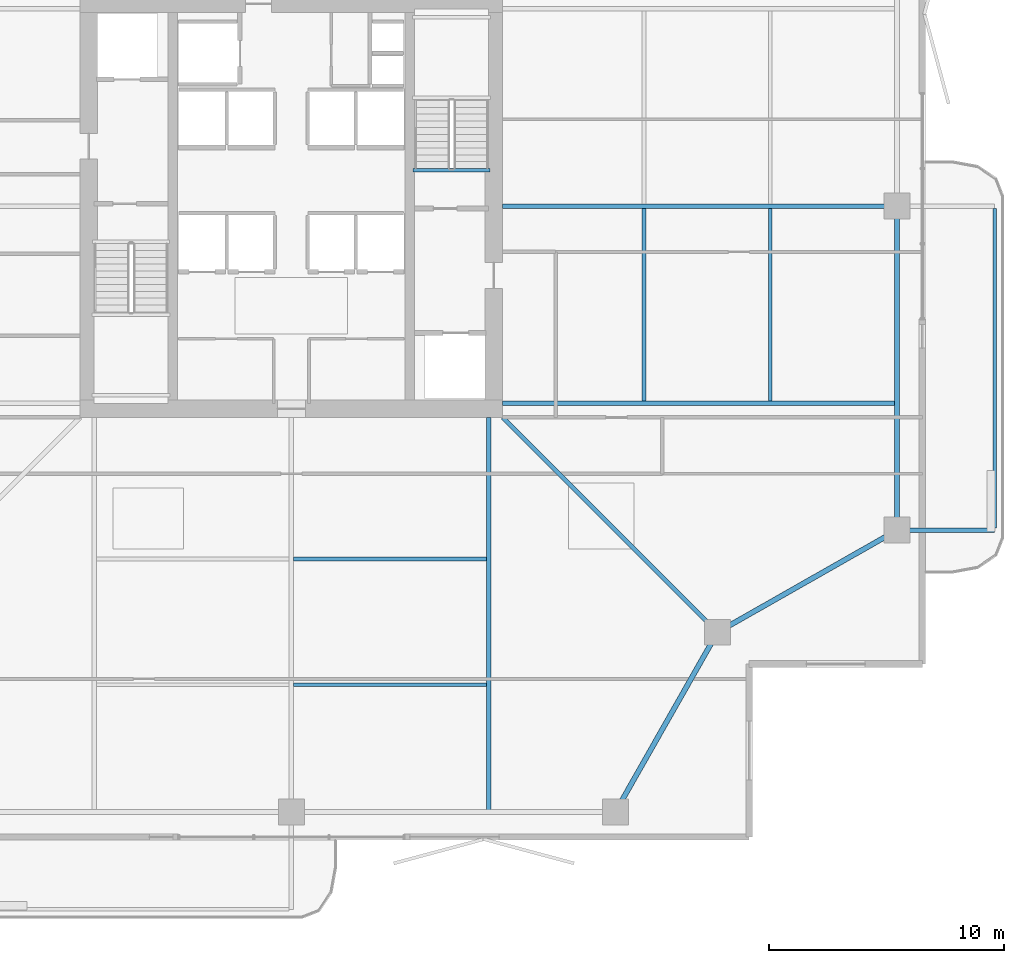
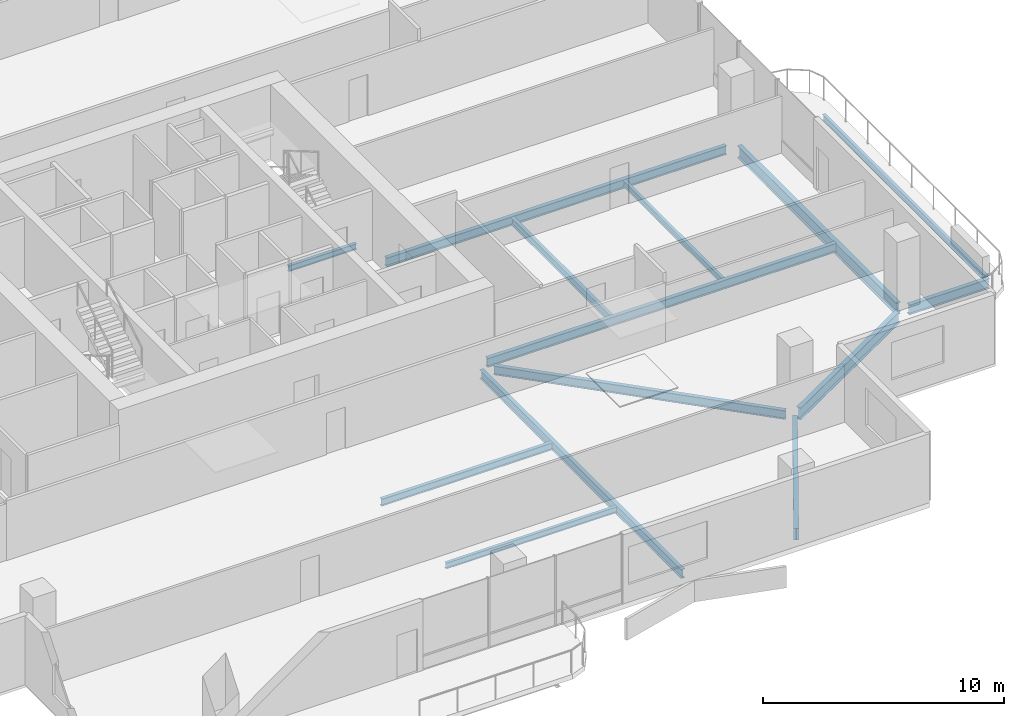
# One storey, part 7 of 24: 14 beams.
"""IFC4 building model written with IfcOpenShell, lengths in metres."""

from ifc_helpers import new_model, si_unit, direction, frame, origin, origin_2d, place, context, subcontext, project, spatial, i_section, extrude, material, material_profile, profile_set, type_object, element, save


model = new_model("IFC4")

# Units and contexts
model_context = context("Model", 3, precision=1e-05, world=origin(), true_north=direction((0.0, 1.0)))
body_context = subcontext(model_context, "Body", "Model", "MODEL_VIEW")
ifc_project = project(units=[si_unit("LENGTHUNIT", "METRE"), si_unit("AREAUNIT", "SQUARE_METRE"), si_unit("VOLUMEUNIT", "CUBIC_METRE"), si_unit("PLANEANGLEUNIT", "RADIAN"), si_unit("MASSUNIT", "GRAM", prefix="KILO")], contexts=[model_context])

# Site, building, storey
site_placement = place(None, origin())
site = spatial("IfcSite", under=ifc_project, at=site_placement, CompositionType="ELEMENT")
building_placement = place(site_placement, origin())
building = spatial("IfcBuilding", under=site, at=building_placement, Name="Belovzor Exchange Tower", CompositionType="ELEMENT")
storey_placement = place(building_placement, frame((0.0, 0.0, 207.449951171875)))
storey = spatial("IfcBuildingStorey", under=building, at=storey_placement, Name="L51", CompositionType="ELEMENT", Elevation=207.449951171875)

# Beams
ifc_material_1 = material(Name="Steel S355", Category="steel")
ifc_material_profile_1 = material_profile(ifc_material_1, i_section(OverallWidth=0.199951171875, OverallDepth=0.5, WebThickness=0.01025390625, FlangeThickness=0.01611328125, at=origin_2d()))
ifc_profile_set_1 = profile_set([ifc_material_profile_1], Name="Steel S355")
beam_type_1 = type_object("IfcBeamType", Name="Planted Balcony Cantilever Beam IPE 500", PredefinedType="BEAM", material=ifc_profile_set_1)
beam_1_placement = place(storey_placement, frame((54.903076171875, 15.0, -0.5), z_axis=(1.0, 0.0, 0.0), x_axis=(0.0, 1.0, 0.0)))
element("IfcBeam", 1, at=beam_1_placement, inside=storey, type_object=beam_type_1, Name="BC-500 Planted Balcony Cantilever Beam IPE 500", PredefinedType="BEAM", context=body_context, shape_type="SweptSolid", body=[
    extrude(i_section(OverallWidth=0.199951171875, OverallDepth=0.5, WebThickness=0.01025390625, FlangeThickness=0.01611328125, at=origin_2d()), origin(), (0.0, 0.0, 1.0), 3.849853515625),
])
ifc_material_2 = material(Name="Steel S355", Category="steel")
ifc_material_profile_2 = material_profile(ifc_material_2, i_section(OverallWidth=0.14990234375, OverallDepth=0.300048828125, WebThickness=0.007080078125, FlangeThickness=0.0107421875, at=origin_2d()))
ifc_profile_set_2 = profile_set([ifc_material_profile_2], Name="Steel S355")
beam_type_2 = type_object("IfcBeamType", Name="Planted Balcony Fascia Edge Beam IPE 300", PredefinedType="BEAM", material=ifc_profile_set_2)
beam_2_placement = place(storey_placement, frame((58.7529296875, 15.10009765625, -0.39990234375), z_axis=(0.0, 1.0, 0.0), x_axis=(-1.0, 0.0, 0.0)))
element("IfcBeam", 2, at=beam_2_placement, inside=storey, type_object=beam_type_2, Name="BC-300 Planted Balcony Fascia Edge Beam IPE 300", PredefinedType="BEAM", context=body_context, shape_type="SweptSolid", body=[
    extrude(i_section(OverallWidth=0.14990234375, OverallDepth=0.300048828125, WebThickness=0.007080078125, FlangeThickness=0.0107421875, at=origin_2d()), origin(), (0.0, 0.0, 1.0), 13.599853515625),
])
ifc_material_3 = material(Name="Steel S355", Category="steel")
ifc_material_profile_3 = material_profile(ifc_material_3, i_section(OverallWidth=0.169921875, OverallDepth=0.360107421875, WebThickness=0.008056640625, FlangeThickness=0.0126953125, at=origin_2d()))
ifc_profile_set_3 = profile_set([ifc_material_profile_3], Name="Steel S355")
beam_type_3 = type_object("IfcBeamType", Name="Secondary Infill Floor Joist IPE 360", PredefinedType="BEAM", material=ifc_profile_set_3)
for number, where, z_axis, x_axis, name in (
    (3, (28.89501953125, 13.77197265625, -0.429931640625), (1.0, 0.0, 0.0), (0.0, 1.0, 0.0), "FJ-360 Secondary Infill Floor Joist IPE 360"),
    (4, (43.827880859375, 20.4951171875, -0.429931640625), (0.0, 1.0, 0.0), (-1.0, 0.0, 0.0), "FJ-360 Secondary Infill Floor Joist IPE 360"),
):
    element("IfcBeam", number, at=place(storey_placement, frame(where, z_axis=z_axis, x_axis=x_axis)), inside=storey, type_object=beam_type_3, Name=name, PredefinedType="BEAM", context=body_context, shape_type="SweptSolid", body=[
        extrude(i_section(OverallWidth=0.169921875, OverallDepth=0.360107421875, WebThickness=0.008056640625, FlangeThickness=0.0126953125, at=origin_2d()), origin(), (0.0, 0.0, 1.0), 8.2099609375),
    ])
ifc_material_4 = material(Name="Steel S355", Category="steel")
ifc_material_profile_4 = material_profile(ifc_material_4, i_section(OverallWidth=0.14990234375, OverallDepth=0.300048828125, WebThickness=0.007080078125, FlangeThickness=0.0107421875, at=origin_2d()))
ifc_profile_set_4 = profile_set([ifc_material_profile_4], Name="Steel S355")
beam_type_4 = type_object("IfcBeamType", Name="Secondary Trim Floor Joist IPE 300", PredefinedType="BEAM", material=ifc_profile_set_4)
beam_3_placement = place(storey_placement, frame((37.260009765625, 30.320068359375, -0.39990234375), z_axis=(-1.0, 0.0, 0.0), x_axis=(0.0, -1.0, 0.0)))
element("IfcBeam", 5, at=beam_3_placement, inside=storey, type_object=beam_type_4, Name="FJ-300 Secondary Trim Floor Joist IPE 300", PredefinedType="BEAM", context=body_context, shape_type="SweptSolid", body=[
    extrude(i_section(OverallWidth=0.14990234375, OverallDepth=0.300048828125, WebThickness=0.007080078125, FlangeThickness=0.0107421875, at=origin_2d()), origin(), (0.0, 0.0, 1.0), 3.27001953125),
])
for number, where, z_axis, x_axis, name in (
    (6, (28.89501953125, 8.4130859375, -0.39990234375), (1.0, 0.0, 0.0), (0.0, 1.0, 0.0), "FJ-300 Secondary Trim Floor Joist IPE 300"),
    (7, (49.18701171875, 20.4951171875, -0.39990234375), (0.0, 1.0, 0.0), (-1.0, 0.0, 0.0), "FJ-300 Secondary Trim Floor Joist IPE 300"),
):
    element("IfcBeam", number, at=place(storey_placement, frame(where, z_axis=z_axis, x_axis=x_axis)), inside=storey, type_object=beam_type_4, Name=name, PredefinedType="BEAM", context=body_context, shape_type="SweptSolid", body=[
        extrude(i_section(OverallWidth=0.14990234375, OverallDepth=0.300048828125, WebThickness=0.007080078125, FlangeThickness=0.0107421875, at=origin_2d()), origin(), (0.0, 0.0, 1.0), 8.2099609375),
    ])
ifc_material_5 = material(Name="Steel S355", Category="steel")
ifc_material_profile_5 = material_profile(ifc_material_5, i_section(OverallWidth=0.18994140625, OverallDepth=0.449951171875, WebThickness=0.009521484375, FlangeThickness=0.0146484375, at=origin_2d()))
ifc_profile_set_5 = profile_set([ifc_material_profile_5], Name="Steel S355")
beam_type_5 = type_object("IfcBeamType", Name="Zone 2-4 Radial Composite Floor Beam IPE 450", PredefinedType="BEAM", material=ifc_profile_set_5)
beam_4_placement = place(storey_placement, frame((37.199951171875, 19.800048828125, -0.474853515625), z_axis=(0.0, -1.0, 0.0), x_axis=(1.0, 0.0, 0.0)))
element("IfcBeam", 8, at=beam_4_placement, inside=storey, type_object=beam_type_5, Name="FB-450 Zone 2-4 Radial Composite Floor Beam IPE 450", PredefinedType="BEAM", context=body_context, shape_type="SweptSolid", body=[
    extrude(i_section(OverallWidth=0.18994140625, OverallDepth=0.449951171875, WebThickness=0.009521484375, FlangeThickness=0.0146484375, at=origin_2d()), origin(), (0.0, 0.0, 1.0), 16.7451171875),
])
beam_5_placement = place(storey_placement, frame((37.800048828125, 20.39990234375, -0.474853515625), z_axis=(1.0, 0.0, 0.0), x_axis=(0.0, 1.0, 0.0)))
element("IfcBeam", 9, at=beam_5_placement, inside=storey, type_object=beam_type_5, Name="FB-450 Zone 2-4 Radial Composite Floor Beam IPE 450", PredefinedType="BEAM", context=body_context, shape_type="SweptSolid", body=[
    extrude(i_section(OverallWidth=0.18994140625, OverallDepth=0.449951171875, WebThickness=0.009521484375, FlangeThickness=0.0146484375, at=origin_2d()), origin(), (0.0, 0.0, 1.0), 16.744873046875),
])
beam_6_placement = place(storey_placement, frame((37.800048828125, 28.800048828125, -0.474853515625), z_axis=(1.0, 0.0, 0.0), x_axis=(0.0, 1.0, 0.0)))
element("IfcBeam", 10, at=beam_6_placement, inside=storey, type_object=beam_type_5, Name="FB-450 Zone 2-4 Radial Composite Floor Beam IPE 450", PredefinedType="BEAM", context=body_context, shape_type="SweptSolid", body=[
    extrude(i_section(OverallWidth=0.18994140625, OverallDepth=0.449951171875, WebThickness=0.009521484375, FlangeThickness=0.0146484375, at=origin_2d()), origin(), (0.0, 0.0, 1.0), 16.31591796875),
])
beam_7_placement = place(storey_placement, frame((37.800048828125, 19.800048828125, -0.474853515625), z_axis=(0.707106781187, -0.707106781187, 0.0), x_axis=(0.707106781187, 0.707106781187, 0.0)))
element("IfcBeam", 11, at=beam_7_placement, inside=storey, type_object=beam_type_5, Name="FB-450 Zone 2-4 Radial Composite Floor Beam IPE 450", PredefinedType="BEAM", context=body_context, shape_type="SweptSolid", body=[
    extrude(i_section(OverallWidth=0.18994140625, OverallDepth=0.449951171875, WebThickness=0.009521484375, FlangeThickness=0.0146484375, at=origin_2d()), origin(), (0.0, 0.0, 1.0), 12.551025390625),
])
ifc_material_6 = material(Name="Steel S355", Category="steel")
ifc_material_profile_6 = material_profile(ifc_material_6, i_section(OverallWidth=0.219970703125, OverallDepth=0.60009765625, WebThickness=0.011962890625, FlangeThickness=0.01904296875, at=origin_2d()))
ifc_profile_set_6 = profile_set([ifc_material_profile_6], Name="Steel S355")
beam_type_6 = type_object("IfcBeamType", Name="Zone 4 Flare Primary Girder IPE 600", PredefinedType="BEAM", material=ifc_profile_set_6)
for number, where, z_axis, x_axis, name in (
    (12, (42.75, 3.262939453125, -0.550048828125), (0.494222323641, 0.869335547884, 0.0), (-0.869335547884, 0.494222323641, 0.0), "FG-Z4 Zone 4 Flare Primary Girder IPE 600"),
    (13, (47.212890625, 10.800048828125, -0.550048828125), (0.869335547884, 0.494222323641, 0.0), (-0.494222323641, 0.869335547884, 0.0), "FG-Z4 Zone 4 Flare Primary Girder IPE 600"),
):
    element("IfcBeam", number, at=place(storey_placement, frame(where, z_axis=z_axis, x_axis=x_axis)), inside=storey, type_object=beam_type_6, Name=name, PredefinedType="BEAM", context=body_context, shape_type="SweptSolid", body=[
        extrude(i_section(OverallWidth=0.219970703125, OverallDepth=0.60009765625, WebThickness=0.011962890625, FlangeThickness=0.01904296875, at=origin_2d()), origin(), (0.0, 0.0, 1.0), 8.19482421875),
    ])
beam_8_placement = place(storey_placement, frame((54.60009765625, 15.302978515625, -0.550048828125), z_axis=(0.0, 1.0, 0.0), x_axis=(-1.0, 0.0, 0.0)))
element("IfcBeam", 14, at=beam_8_placement, inside=storey, type_object=beam_type_6, Name="FG-Z4 Zone 4 Flare Primary Girder IPE 600", PredefinedType="BEAM", context=body_context, shape_type="SweptSolid", body=[
    extrude(i_section(OverallWidth=0.219970703125, OverallDepth=0.60009765625, WebThickness=0.011962890625, FlangeThickness=0.01904296875, at=origin_2d()), origin(), (0.0, 0.0, 1.0), 13.195068359375),
])

save(model, "model.ifc")
